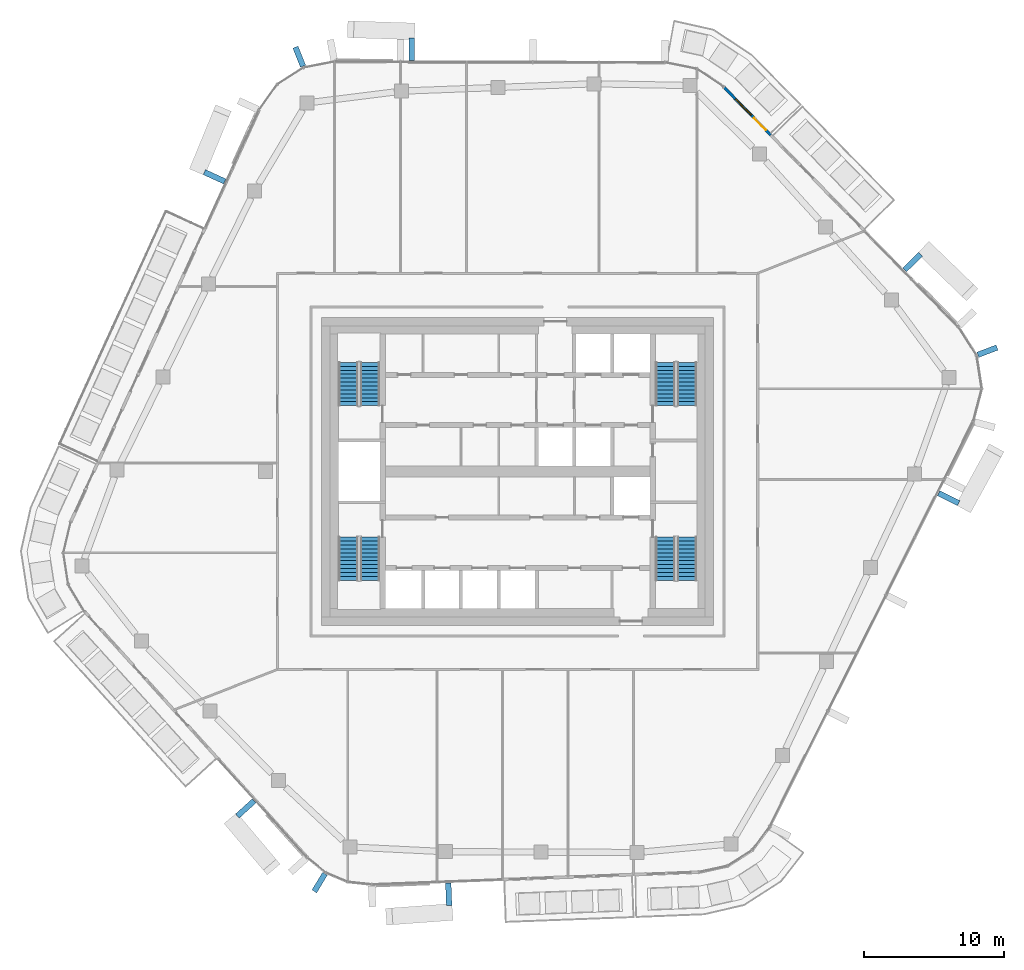
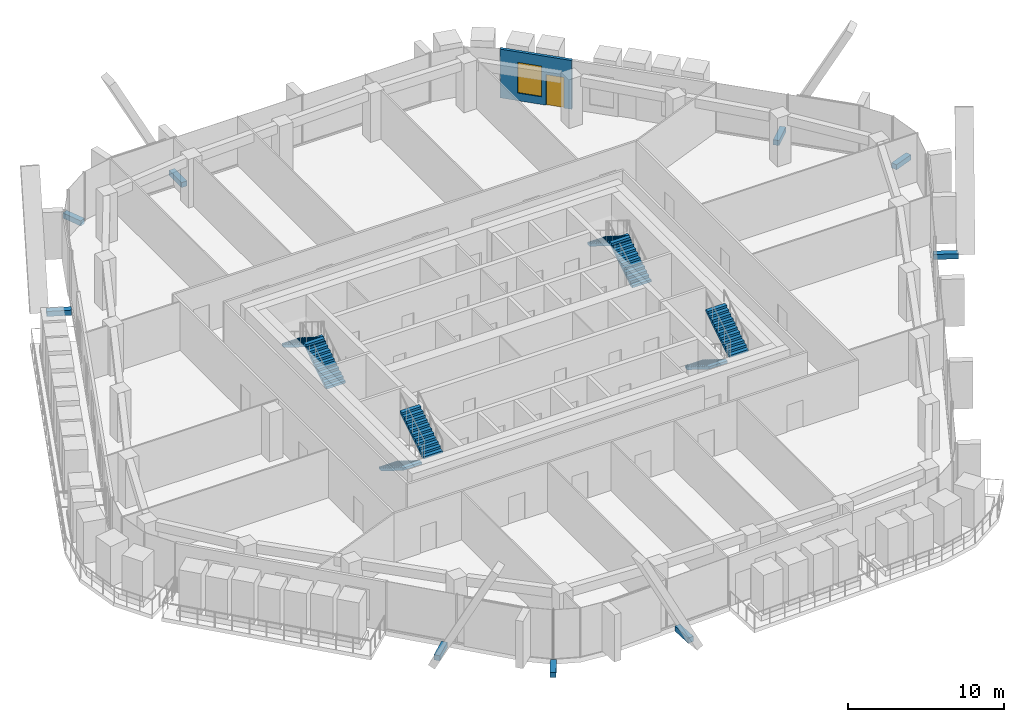
# One storey, part 17 of 24: 9 discrete accessories, 8 stair flights, 1 door, 1 wall, 1 window, 2 openings, 4 elements without a shape of their own.
"""IFC4 building model written with IfcOpenShell, lengths in metres."""

from ifc_helpers import new_model, si_unit, direction, frame, frame_2d, origin, origin_2d, place, context, subcontext, project, spatial, polyline, rectangle, outline, extrude, material, layer, layer_set, type_object, element, fill, aggregate, save


model = new_model("IFC4")

# Units and contexts
model_context = context("Model", 3, precision=1e-05, world=origin(), true_north=direction((0.0, 1.0)))
body_context = subcontext(model_context, "Body", "Model", "MODEL_VIEW")
ifc_project = project(units=[si_unit("LENGTHUNIT", "METRE"), si_unit("AREAUNIT", "SQUARE_METRE"), si_unit("VOLUMEUNIT", "CUBIC_METRE"), si_unit("PLANEANGLEUNIT", "RADIAN"), si_unit("MASSUNIT", "GRAM", prefix="KILO")], contexts=[model_context])

# Site, building, storey
site_placement = place(None, origin())
site = spatial("IfcSite", under=ifc_project, at=site_placement, CompositionType="ELEMENT")
building_placement = place(site_placement, origin())
building = spatial("IfcBuilding", under=site, at=building_placement, Name="Dongbaek Canopy Tower", CompositionType="ELEMENT")
storey_placement = place(building_placement, frame((0.0, 0.0, 311.0)))
storey = spatial("IfcBuildingStorey", under=building, at=storey_placement, Name="L66", CompositionType="ELEMENT", Elevation=311.0)

# Wall, openings, door, window
ifc_material_1 = material(Name="Aluminium window wall", Category="aluminium")
ifc_layer_1 = layer(ifc_material_1, 0.199951171875)
ifc_layer_set_1 = layer_set([ifc_layer_1], Name="Window wall 200")
wall_type = type_object("IfcWallType", Name="Window wall 200", PredefinedType="SOLIDWALL", material=ifc_layer_set_1)
wall_placement = place(storey_placement, frame((18.086181640625, 24.02099609375, 0.0), z_axis=(0.0, 0.0, 1.0), x_axis=(-0.699373628804, 0.714756271279, 0.0)))
wall = element("IfcWall", 1, at=wall_placement, inside=storey, type_object=wall_type, Name="Window wall L66 5", PredefinedType="SOLIDWALL", context=body_context, shape_type="SweptSolid", body=[
    extrude(rectangle(XDim=4.77734375, YDim=0.199951171875, at=frame_2d((2.388671875, 0.0))), origin(), (0.0, 0.0, 1.0), 3.820068359375),
])
opening_1_placement = place(wall_placement, frame((2.0, 0.0, 0.60009765625)))
opening_1 = element("IfcOpeningElement", 2, at=opening_1_placement, cuts=wall, Name="Opening W1", PredefinedType="OPENING", context=body_context, shape_type="SweptSolid", body=[
    extrude(rectangle(XDim=1.60009765625, YDim=2.39990234375, at=frame_2d((0.800048828125, 1.199951171875))), frame((0.0, 0.10986328125, 0.0), z_axis=(0.0, -1.0, 0.0), x_axis=(1.0, 0.0, 0.0)), (0.0, 0.0, 1.0), 0.219970703125),
])
opening_2_placement = place(wall_placement, frame((0.5, 0.0, 0.0)))
opening_2 = element("IfcOpeningElement", 3, at=opening_2_placement, cuts=wall, Name="Opening L66-B03", PredefinedType="OPENING", context=body_context, shape_type="SweptSolid", body=[
    extrude(rectangle(XDim=1.199951171875, YDim=2.39990234375, at=frame_2d((0.60009765625, 1.199951171875))), frame((0.0, 0.10986328125, 0.0), z_axis=(0.0, -1.0, 0.0), x_axis=(1.0, 0.0, 0.0)), (0.0, 0.0, 1.0), 0.219970703125),
])
ifc_material_2 = material(Name="Clear glazing in aluminium frame", Category="aluminium")
door_type = type_object("IfcDoorType", Name="Balcony door BD1 1200 x 2400", OperationType="SLIDING_TO_LEFT", PredefinedType="DOOR", material=ifc_material_2)
door_placement = place(opening_2_placement, origin())
door = element("IfcDoor", 4, at=door_placement, inside=storey, type_object=door_type, Name="Balcony door L66-B03", OperationType="SLIDING_TO_LEFT", OverallHeight=2.39990234375, OverallWidth=1.199951171875, PredefinedType="DOOR", context=body_context, shape_type="SweptSolid", body=[
    extrude(rectangle(XDim=1.199951171875, YDim=2.39990234375, at=frame_2d((0.60009765625, 1.199951171875))), frame((0.0, 0.02490234375, 0.0), z_axis=(0.0, -1.0, 0.0), x_axis=(1.0, 0.0, 0.0)), (0.0, 0.0, 1.0), 0.050048828125),
])
fill(opening_2, door)
ifc_material_3 = material(Name="Clear glazing in aluminium frame", Category="aluminium")
window_type = type_object("IfcWindowType", Name="Window W1 1600 x 2400", PartitioningType="SINGLE_PANEL", PredefinedType="WINDOW", material=ifc_material_3)
window_placement = place(opening_1_placement, origin())
window = element("IfcWindow", 5, at=window_placement, inside=storey, type_object=window_type, Name="Window L66 5.1", OverallHeight=2.39990234375, OverallWidth=1.60009765625, PartitioningType="SINGLE_PANEL", PredefinedType="WINDOW", context=body_context, shape_type="SweptSolid", body=[
    extrude(rectangle(XDim=1.60009765625, YDim=2.39990234375, at=frame_2d((0.800048828125, 1.199951171875))), frame((0.0, 0.030029296875, 0.0), z_axis=(0.0, -1.0, 0.0), x_axis=(1.0, 0.0, 0.0)), (0.0, 0.0, 1.0), 0.06005859375),
])
fill(opening_1, window)

# Stair, stair flights
ifc_material_4 = material(Name="Concrete C40/50", Category="concrete")
stair_type = type_object("IfcStairType", Name="Core exit stair", PredefinedType="HALF_TURN_STAIR", material=ifc_material_4)
stair_1_placement = place(storey_placement, origin())
stair_1 = element("IfcStair", 6, at=stair_1_placement, inside=storey, type_object=stair_type, Name="L66 exit stair A", PredefinedType="HALF_TURN_STAIR")
ifc_material_5 = material(Name="Concrete C40/50", Category="concrete")
ifc_layer_2 = layer(ifc_material_5, 0.14990234375)
ifc_layer_set_2 = layer_set([ifc_layer_2], Name="Core stair flight 150 waist")
stair_flight_type = type_object("IfcStairFlightType", Name="Core stair flight 150 waist", PredefinedType="STRAIGHT", material=ifc_layer_set_2)
stair_flight_1_placement = place(storey_placement, frame((12.10009765625, 4.699951171875, 0.0), z_axis=(0.0, 0.0, 1.0), x_axis=(0.0, 1.0, 0.0)))
stair_flight_1 = element("IfcStairFlight", 7, at=stair_flight_1_placement, type_object=stair_flight_type, Name="ST-A flight 1", NumberOfRisers=12, NumberOfTreads=11, PredefinedType="STRAIGHT", RiserHeight=0.175, TreadLength=0.28, context=body_context, shape_type="SweptSolid", body=[
    extrude(outline(polyline([(0.0, 0.0), (0.0, 0.175048828125), (0.280029296875, 0.175048828125), (0.280029296875, 0.35009765625), (0.56005859375, 0.35009765625), (0.56005859375, 0.52490234375), (0.840087890625, 0.52490234375), (0.840087890625, 0.699951171875), (1.1201171875, 0.699951171875), (1.1201171875, 0.875), (1.39990234375, 0.875), (1.39990234375, 1.050048828125), (1.679931640625, 1.050048828125), (1.679931640625, 1.22509765625), (1.9599609375, 1.22509765625), (1.9599609375, 1.39990234375), (2.239990234375, 1.39990234375), (2.239990234375, 1.574951171875), (2.52001953125, 1.574951171875), (2.52001953125, 1.75), (2.800048828125, 1.75), (2.800048828125, 1.925048828125), (3.080078125, 1.925048828125), (3.080078125, 2.10009765625), (3.080078125, 1.748291015625), (0.28271484375, 0.0), (0.0, 0.0)])), frame((0.0, 0.699951171875, 0.0), z_axis=(0.0, -1.0, 0.0), x_axis=(1.0, 0.0, 0.0)), (0.0, 0.0, 1.0), 1.39990234375),
])
stair_flight_2_placement = place(storey_placement, frame((10.550048828125, 7.780029296875, 2.10009765625), z_axis=(0.0, 0.0, 1.0), x_axis=(0.0, -1.0, 0.0)))
stair_flight_2 = element("IfcStairFlight", 8, at=stair_flight_2_placement, type_object=stair_flight_type, Name="ST-A flight 2", NumberOfRisers=12, NumberOfTreads=11, PredefinedType="STRAIGHT", RiserHeight=0.175, TreadLength=0.28, context=body_context, shape_type="SweptSolid", body=[
    extrude(outline(polyline([(0.0, 0.0), (0.0, 0.175048828125), (0.280029296875, 0.175048828125), (0.280029296875, 0.35009765625), (0.56005859375, 0.35009765625), (0.56005859375, 0.52490234375), (0.840087890625, 0.52490234375), (0.840087890625, 0.699951171875), (1.1201171875, 0.699951171875), (1.1201171875, 0.875), (1.39990234375, 0.875), (1.39990234375, 1.050048828125), (1.679931640625, 1.050048828125), (1.679931640625, 1.22509765625), (1.9599609375, 1.22509765625), (1.9599609375, 1.39990234375), (2.239990234375, 1.39990234375), (2.239990234375, 1.574951171875), (2.52001953125, 1.574951171875), (2.52001953125, 1.75), (2.800048828125, 1.75), (2.800048828125, 1.925048828125), (3.080078125, 1.925048828125), (3.080078125, 2.10009765625), (3.080078125, 1.748291015625), (0.28271484375, 0.0), (0.0, 0.0)])), frame((0.0, 0.699951171875, 0.0), z_axis=(0.0, -1.0, 0.0), x_axis=(1.0, 0.0, 0.0)), (0.0, 0.0, 1.0), 1.39990234375),
])
aggregate(stair_1, [stair_flight_1, stair_flight_2])

stair_2_placement = place(storey_placement, origin())
stair_2 = element("IfcStair", 9, at=stair_2_placement, inside=storey, type_object=stair_type, Name="L66 exit stair C", PredefinedType="HALF_TURN_STAIR")
stair_flight_3_placement = place(storey_placement, frame((-10.550048828125, 4.699951171875, 0.0), z_axis=(0.0, 0.0, 1.0), x_axis=(0.0, 1.0, 0.0)))
stair_flight_3 = element("IfcStairFlight", 10, at=stair_flight_3_placement, type_object=stair_flight_type, Name="ST-C flight 1", NumberOfRisers=12, NumberOfTreads=11, PredefinedType="STRAIGHT", RiserHeight=0.175, TreadLength=0.28, context=body_context, shape_type="SweptSolid", body=[
    extrude(outline(polyline([(0.0, 0.0), (0.0, 0.175048828125), (0.280029296875, 0.175048828125), (0.280029296875, 0.35009765625), (0.56005859375, 0.35009765625), (0.56005859375, 0.52490234375), (0.840087890625, 0.52490234375), (0.840087890625, 0.699951171875), (1.1201171875, 0.699951171875), (1.1201171875, 0.875), (1.39990234375, 0.875), (1.39990234375, 1.050048828125), (1.679931640625, 1.050048828125), (1.679931640625, 1.22509765625), (1.9599609375, 1.22509765625), (1.9599609375, 1.39990234375), (2.239990234375, 1.39990234375), (2.239990234375, 1.574951171875), (2.52001953125, 1.574951171875), (2.52001953125, 1.75), (2.800048828125, 1.75), (2.800048828125, 1.925048828125), (3.080078125, 1.925048828125), (3.080078125, 2.10009765625), (3.080078125, 1.748291015625), (0.28271484375, 0.0), (0.0, 0.0)])), frame((0.0, 0.699951171875, 0.0), z_axis=(0.0, -1.0, 0.0), x_axis=(1.0, 0.0, 0.0)), (0.0, 0.0, 1.0), 1.39990234375),
])
stair_flight_4_placement = place(storey_placement, frame((-12.10009765625, 7.780029296875, 2.10009765625), z_axis=(0.0, 0.0, 1.0), x_axis=(0.0, -1.0, 0.0)))
stair_flight_4 = element("IfcStairFlight", 11, at=stair_flight_4_placement, type_object=stair_flight_type, Name="ST-C flight 2", NumberOfRisers=12, NumberOfTreads=11, PredefinedType="STRAIGHT", RiserHeight=0.175, TreadLength=0.28, context=body_context, shape_type="SweptSolid", body=[
    extrude(outline(polyline([(0.0, 0.0), (0.0, 0.175048828125), (0.280029296875, 0.175048828125), (0.280029296875, 0.35009765625), (0.56005859375, 0.35009765625), (0.56005859375, 0.52490234375), (0.840087890625, 0.52490234375), (0.840087890625, 0.699951171875), (1.1201171875, 0.699951171875), (1.1201171875, 0.875), (1.39990234375, 0.875), (1.39990234375, 1.050048828125), (1.679931640625, 1.050048828125), (1.679931640625, 1.22509765625), (1.9599609375, 1.22509765625), (1.9599609375, 1.39990234375), (2.239990234375, 1.39990234375), (2.239990234375, 1.574951171875), (2.52001953125, 1.574951171875), (2.52001953125, 1.75), (2.800048828125, 1.75), (2.800048828125, 1.925048828125), (3.080078125, 1.925048828125), (3.080078125, 2.10009765625), (3.080078125, 1.748291015625), (0.28271484375, 0.0), (0.0, 0.0)])), frame((0.0, 0.699951171875, 0.0), z_axis=(0.0, -1.0, 0.0), x_axis=(1.0, 0.0, 0.0)), (0.0, 0.0, 1.0), 1.39990234375),
])
aggregate(stair_2, [stair_flight_3, stair_flight_4])

stair_3_placement = place(storey_placement, origin())
stair_3 = element("IfcStair", 12, at=stair_3_placement, inside=storey, type_object=stair_type, Name="L66 exit stair B", PredefinedType="HALF_TURN_STAIR")
stair_flight_5_placement = place(storey_placement, frame((10.550048828125, -4.699951171875, 0.0), z_axis=(0.0, 0.0, 1.0), x_axis=(0.0, -1.0, 0.0)))
stair_flight_5 = element("IfcStairFlight", 13, at=stair_flight_5_placement, type_object=stair_flight_type, Name="ST-B flight 1", NumberOfRisers=12, NumberOfTreads=11, PredefinedType="STRAIGHT", RiserHeight=0.175, TreadLength=0.28, context=body_context, shape_type="SweptSolid", body=[
    extrude(outline(polyline([(0.0, 0.0), (0.0, 0.175048828125), (0.280029296875, 0.175048828125), (0.280029296875, 0.35009765625), (0.56005859375, 0.35009765625), (0.56005859375, 0.52490234375), (0.840087890625, 0.52490234375), (0.840087890625, 0.699951171875), (1.1201171875, 0.699951171875), (1.1201171875, 0.875), (1.39990234375, 0.875), (1.39990234375, 1.050048828125), (1.679931640625, 1.050048828125), (1.679931640625, 1.22509765625), (1.9599609375, 1.22509765625), (1.9599609375, 1.39990234375), (2.239990234375, 1.39990234375), (2.239990234375, 1.574951171875), (2.52001953125, 1.574951171875), (2.52001953125, 1.75), (2.800048828125, 1.75), (2.800048828125, 1.925048828125), (3.080078125, 1.925048828125), (3.080078125, 2.10009765625), (3.080078125, 1.748291015625), (0.28271484375, 0.0), (0.0, 0.0)])), frame((0.0, 0.699951171875, 0.0), z_axis=(0.0, -1.0, 0.0), x_axis=(1.0, 0.0, 0.0)), (0.0, 0.0, 1.0), 1.39990234375),
])
stair_flight_6_placement = place(storey_placement, frame((12.10009765625, -7.780029296875, 2.10009765625), z_axis=(0.0, 0.0, 1.0), x_axis=(0.0, 1.0, 0.0)))
stair_flight_6 = element("IfcStairFlight", 14, at=stair_flight_6_placement, type_object=stair_flight_type, Name="ST-B flight 2", NumberOfRisers=12, NumberOfTreads=11, PredefinedType="STRAIGHT", RiserHeight=0.175, TreadLength=0.28, context=body_context, shape_type="SweptSolid", body=[
    extrude(outline(polyline([(0.0, 0.0), (0.0, 0.175048828125), (0.280029296875, 0.175048828125), (0.280029296875, 0.35009765625), (0.56005859375, 0.35009765625), (0.56005859375, 0.52490234375), (0.840087890625, 0.52490234375), (0.840087890625, 0.699951171875), (1.1201171875, 0.699951171875), (1.1201171875, 0.875), (1.39990234375, 0.875), (1.39990234375, 1.050048828125), (1.679931640625, 1.050048828125), (1.679931640625, 1.22509765625), (1.9599609375, 1.22509765625), (1.9599609375, 1.39990234375), (2.239990234375, 1.39990234375), (2.239990234375, 1.574951171875), (2.52001953125, 1.574951171875), (2.52001953125, 1.75), (2.800048828125, 1.75), (2.800048828125, 1.925048828125), (3.080078125, 1.925048828125), (3.080078125, 2.10009765625), (3.080078125, 1.748291015625), (0.28271484375, 0.0), (0.0, 0.0)])), frame((0.0, 0.699951171875, 0.0), z_axis=(0.0, -1.0, 0.0), x_axis=(1.0, 0.0, 0.0)), (0.0, 0.0, 1.0), 1.39990234375),
])
aggregate(stair_3, [stair_flight_5, stair_flight_6])

stair_4_placement = place(storey_placement, origin())
stair_4 = element("IfcStair", 15, at=stair_4_placement, inside=storey, type_object=stair_type, Name="L66 exit stair D", PredefinedType="HALF_TURN_STAIR")
stair_flight_7_placement = place(storey_placement, frame((-12.10009765625, -4.699951171875, 0.0), z_axis=(0.0, 0.0, 1.0), x_axis=(0.0, -1.0, 0.0)))
stair_flight_7 = element("IfcStairFlight", 16, at=stair_flight_7_placement, type_object=stair_flight_type, Name="ST-D flight 1", NumberOfRisers=12, NumberOfTreads=11, PredefinedType="STRAIGHT", RiserHeight=0.175, TreadLength=0.28, context=body_context, shape_type="SweptSolid", body=[
    extrude(outline(polyline([(0.0, 0.0), (0.0, 0.175048828125), (0.280029296875, 0.175048828125), (0.280029296875, 0.35009765625), (0.56005859375, 0.35009765625), (0.56005859375, 0.52490234375), (0.840087890625, 0.52490234375), (0.840087890625, 0.699951171875), (1.1201171875, 0.699951171875), (1.1201171875, 0.875), (1.39990234375, 0.875), (1.39990234375, 1.050048828125), (1.679931640625, 1.050048828125), (1.679931640625, 1.22509765625), (1.9599609375, 1.22509765625), (1.9599609375, 1.39990234375), (2.239990234375, 1.39990234375), (2.239990234375, 1.574951171875), (2.52001953125, 1.574951171875), (2.52001953125, 1.75), (2.800048828125, 1.75), (2.800048828125, 1.925048828125), (3.080078125, 1.925048828125), (3.080078125, 2.10009765625), (3.080078125, 1.748291015625), (0.28271484375, 0.0), (0.0, 0.0)])), frame((0.0, 0.699951171875, 0.0), z_axis=(0.0, -1.0, 0.0), x_axis=(1.0, 0.0, 0.0)), (0.0, 0.0, 1.0), 1.39990234375),
])
stair_flight_8_placement = place(storey_placement, frame((-10.550048828125, -7.780029296875, 2.10009765625), z_axis=(0.0, 0.0, 1.0), x_axis=(0.0, 1.0, 0.0)))
stair_flight_8 = element("IfcStairFlight", 17, at=stair_flight_8_placement, type_object=stair_flight_type, Name="ST-D flight 2", NumberOfRisers=12, NumberOfTreads=11, PredefinedType="STRAIGHT", RiserHeight=0.175, TreadLength=0.28, context=body_context, shape_type="SweptSolid", body=[
    extrude(outline(polyline([(0.0, 0.0), (0.0, 0.175048828125), (0.280029296875, 0.175048828125), (0.280029296875, 0.35009765625), (0.56005859375, 0.35009765625), (0.56005859375, 0.52490234375), (0.840087890625, 0.52490234375), (0.840087890625, 0.699951171875), (1.1201171875, 0.699951171875), (1.1201171875, 0.875), (1.39990234375, 0.875), (1.39990234375, 1.050048828125), (1.679931640625, 1.050048828125), (1.679931640625, 1.22509765625), (1.9599609375, 1.22509765625), (1.9599609375, 1.39990234375), (2.239990234375, 1.39990234375), (2.239990234375, 1.574951171875), (2.52001953125, 1.574951171875), (2.52001953125, 1.75), (2.800048828125, 1.75), (2.800048828125, 1.925048828125), (3.080078125, 1.925048828125), (3.080078125, 2.10009765625), (3.080078125, 1.748291015625), (0.28271484375, 0.0), (0.0, 0.0)])), frame((0.0, 0.699951171875, 0.0), z_axis=(0.0, -1.0, 0.0), x_axis=(1.0, 0.0, 0.0)), (0.0, 0.0, 1.0), 1.39990234375),
])
aggregate(stair_4, [stair_flight_7, stair_flight_8])

# Discrete accessories
ifc_material_6 = material(Name="Galvanised steel S355 bracket", Category="steel")
discrete_accessory_type = type_object("IfcDiscreteAccessoryType", Name="Crease fin bracket BR3 400", PredefinedType="BRACKET", material=ifc_material_6)
discrete_accessory_1_placement = place(storey_placement, frame((30.79296875, -1.91259765625, -0.389892578125), z_axis=(0.0, 0.0, 1.0), x_axis=(0.89373340269, -0.448598489649, 0.0)))
element("IfcDiscreteAccessory", 18, at=discrete_accessory_1_placement, inside=storey, type_object=discrete_accessory_type, Name="Crease fin bracket L66 F5", PredefinedType="BRACKET", context=body_context, shape_type="SweptSolid", body=[
    extrude(rectangle(XDim=1.59814453125, YDim=0.39990234375, at=origin_2d()), origin(), (0.0, 0.0, 1.0), 0.39990234375),
])
discrete_accessory_2_placement = place(storey_placement, frame((28.2138671875, 14.954833984375, -0.389892578125), z_axis=(0.0, 0.0, 1.0), x_axis=(0.714780338527, 0.699349031354, 0.0)))
element("IfcDiscreteAccessory", 19, at=discrete_accessory_2_placement, inside=storey, type_object=discrete_accessory_type, Name="Crease fin bracket L66 F0", PredefinedType="BRACKET", context=body_context, shape_type="SweptSolid", body=[
    extrude(rectangle(XDim=1.59716796875, YDim=0.39990234375, at=origin_2d()), origin(), (0.0, 0.0, 1.0), 0.39990234375),
])
discrete_accessory_3_placement = place(storey_placement, frame((-7.57080078125, 30.156494140625, -0.389892578125), z_axis=(0.0, 0.0, 1.0), x_axis=(0.002179914509, 0.999997623984, 0.0)))
element("IfcDiscreteAccessory", 20, at=discrete_accessory_3_placement, inside=storey, type_object=discrete_accessory_type, Name="Crease fin bracket L66 F1", PredefinedType="BRACKET", context=body_context, shape_type="SweptSolid", body=[
    extrude(rectangle(XDim=1.60107421875, YDim=0.39990234375, at=origin_2d()), origin(), (0.0, 0.0, 1.0), 0.39990234375),
])
discrete_accessory_4_placement = place(storey_placement, frame((-21.65087890625, 21.044677734375, -0.389892578125), z_axis=(0.0, 0.0, 1.0), x_axis=(-0.909496035384, 0.415712594974, 0.0)))
element("IfcDiscreteAccessory", 21, at=discrete_accessory_4_placement, inside=storey, type_object=discrete_accessory_type, Name="Crease fin bracket L66 F2", PredefinedType="BRACKET", context=body_context, shape_type="SweptSolid", body=[
    extrude(rectangle(XDim=1.6044921875, YDim=0.39990234375, at=origin_2d()), origin(), (0.0, 0.0, 1.0), 0.39990234375),
])
discrete_accessory_5_placement = place(storey_placement, frame((-19.421630859375, -24.077880859375, -0.389892578125), z_axis=(0.0, 0.0, 1.0), x_axis=(-0.741254621337, -0.671223946494, 0.0)))
element("IfcDiscreteAccessory", 22, at=discrete_accessory_5_placement, inside=storey, type_object=discrete_accessory_type, Name="Crease fin bracket L66 F3", PredefinedType="BRACKET", context=body_context, shape_type="SweptSolid", body=[
    extrude(rectangle(XDim=1.61376953125, YDim=0.39990234375, at=origin_2d()), origin(), (0.0, 0.0, 1.0), 0.39990234375),
])
discrete_accessory_6_placement = place(storey_placement, frame((-4.92529296875, -30.20654296875, -0.389892578125), z_axis=(0.0, 0.0, 1.0), x_axis=(0.037712855819, -0.99928861722, 0.0)))
element("IfcDiscreteAccessory", 23, at=discrete_accessory_6_placement, inside=storey, type_object=discrete_accessory_type, Name="Crease fin bracket L66 F4", PredefinedType="BRACKET", context=body_context, shape_type="SweptSolid", body=[
    extrude(rectangle(XDim=1.61083984375, YDim=0.39990234375, at=origin_2d()), origin(), (0.0, 0.0, 1.0), 0.39990234375),
])
for number, where, z_axis, x_axis, name in (
    (24, (33.561279296875, 8.587646484375, -0.389892578125), (0.0, 0.0, 1.0), (0.93545266757, 0.353451986464, 0.0), "Corner fin bracket L66 K0"),
    (25, (-15.603271484375, 29.62451171875, -0.389892578125), (0.0, 0.0, 1.0), (-0.370212122195, 0.928947245316, 0.0), "Corner fin bracket L66 K2"),
    (26, (-14.14599609375, -29.37548828125, -0.389892578125), (0.0, 0.0, 1.0), (-0.517605951027, -0.855619120556, 0.0), "Corner fin bracket L66 K4"),
):
    element("IfcDiscreteAccessory", number, at=place(storey_placement, frame(where, z_axis=z_axis, x_axis=x_axis)), inside=storey, type_object=discrete_accessory_type, Name=name, PredefinedType="BRACKET", context=body_context, shape_type="SweptSolid", body=[
        extrude(rectangle(XDim=1.469970703125, YDim=0.39990234375, at=origin_2d()), origin(), (0.0, 0.0, 1.0), 0.39990234375),
    ])

save(model, "model.ifc")
